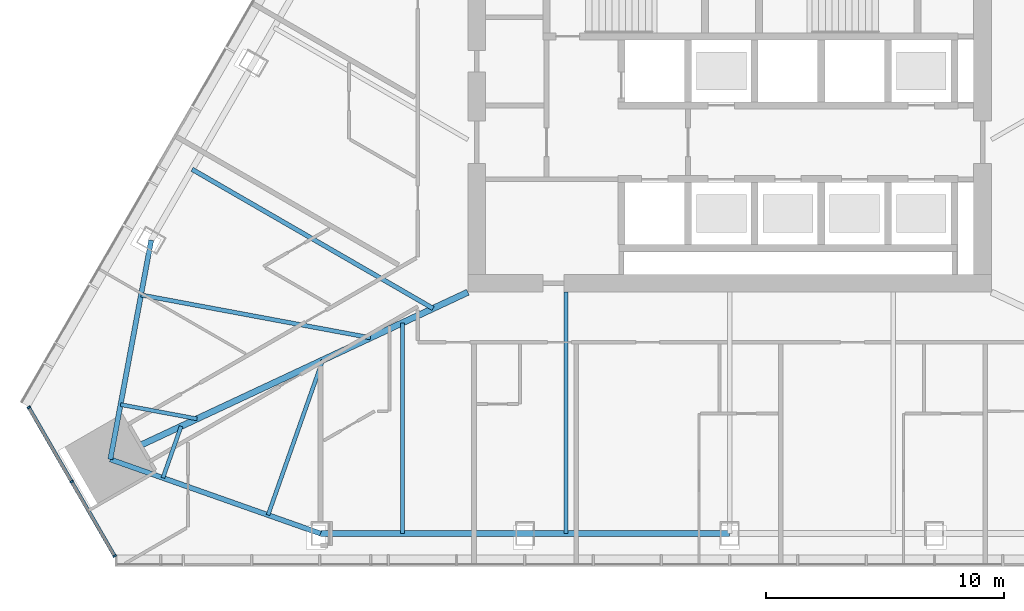
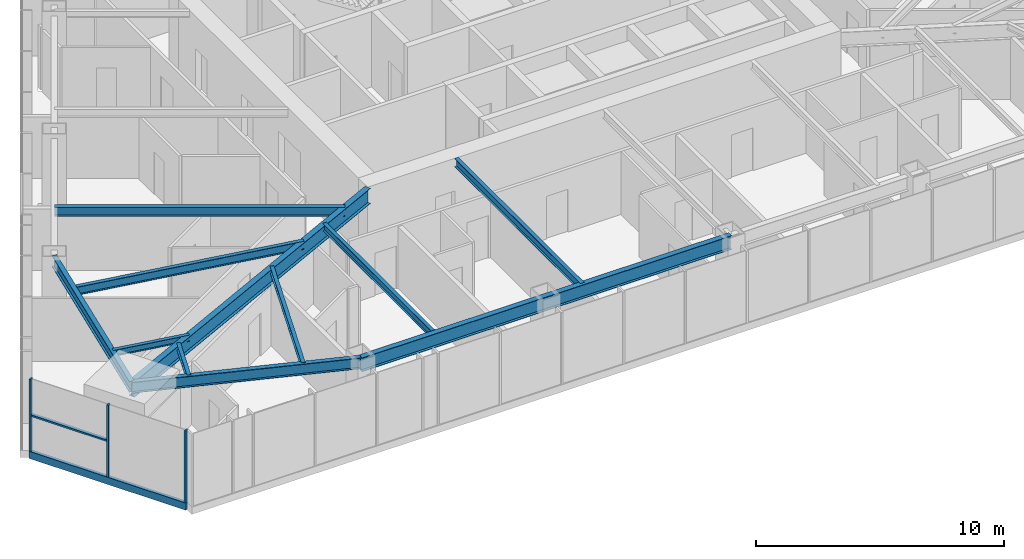
# One storey, part 2 of 16: 11 beams, 5 members, 1 element without a shape of its own.
"""IFC4 building model written with IfcOpenShell, lengths in metres."""

import ifcopenshell
import ifcopenshell.guid

model = None  # the IFC model being written
_history = None  # IfcOwnerHistory: only IFC2X3 demands one
_inside = {}  # id of a spatial element -> (the spatial element, [elements in it])
_under = {}  # id of a project, library or spatial element -> (it, [spatial elements below it])
_declared = {}  # id of a project -> (the project, [libraries it declares])
_typed = {}  # id of a type object -> (the type object, [elements of that type])
_made_of = {}  # id of a material, layer set ... -> (it, [elements and type objects made of it])


def new_model(schema):
    """Start an empty IFC model of exactly this schema.

    Asked for "IFC4X3", IfcOpenShell would pick the latest addendum, in which some entities
    have other attributes; the version numbers below select the first issue.
    IFC2X3 requires an IfcOwnerHistory on every rooted entity: one is made here for all.
    """
    global model, _history
    if schema == "IFC4X3":
        model = ifcopenshell.file(schema_version=(4, 3, 0, 0))
    else:
        model = ifcopenshell.file(schema=schema)
    _inside.clear()
    _under.clear()
    _declared.clear()
    _typed.clear()
    _made_of.clear()
    _history = None
    if model.schema == "IFC2X3":
        org = make("IfcOrganization", Name="unknown")
        user = make(
            "IfcPersonAndOrganization",
            ThePerson=make("IfcPerson", FamilyName="unknown"),
            TheOrganization=org,
        )
        app = make(
            "IfcApplication",
            ApplicationDeveloper=org,
            Version="unknown",
            ApplicationFullName="unknown",
            ApplicationIdentifier="unknown",
        )
        _history = make(
            "IfcOwnerHistory",
            OwningUser=user,
            OwningApplication=app,
            ChangeAction="ADDED",
            CreationDate=0,
        )
    return model


def make(cls, **values):
    """One entity of the class cls with the attributes given. An attribute that is None is left unset."""
    return model.create_entity(
        cls, **{name: value for name, value in values.items() if value is not None}
    )


def rooted(cls, **values):
    """An entity with a GlobalId (a new one), such as an element, a storey or a relation."""
    return make(cls, GlobalId=ifcopenshell.guid.new(), OwnerHistory=_history, **values)


def si_unit(unit_type, name, prefix=None):
    """IfcSIUnit, for example si_unit("LENGTHUNIT", "METRE", prefix="MILLI")."""
    return make("IfcSIUnit", UnitType=unit_type, Prefix=prefix, Name=name)


def assignment(units):
    """IfcUnitAssignment: the units of a project."""
    return None if units is None else make("IfcUnitAssignment", Units=units)


def point(xyz):
    """IfcCartesianPoint."""
    return None if xyz is None else make("IfcCartesianPoint", Coordinates=xyz)


def direction(xyz):
    """IfcDirection."""
    return None if xyz is None else make("IfcDirection", DirectionRatios=xyz)


def frame(location, z_axis=None, x_axis=None):
    """IfcAxis2Placement3D, a coordinate frame: its origin and axes. An axis left out is left unset."""
    return make(
        "IfcAxis2Placement3D",
        Location=point(location),
        Axis=direction(z_axis),
        RefDirection=direction(x_axis),
    )


def frame_2d(location, x_axis=None):
    """IfcAxis2Placement2D, a coordinate frame in the plane: its origin and x axis."""
    return make(
        "IfcAxis2Placement2D", Location=point(location), RefDirection=direction(x_axis)
    )


def origin():
    """The frame at (0, 0, 0) with its axes left unset."""
    return frame((0.0, 0.0, 0.0))


def origin_2d():
    """The frame at (0, 0) in the plane with its x axis left unset."""
    return frame_2d((0.0, 0.0))


def place(relative_to, where):
    """IfcLocalPlacement: puts the frame where relative to a parent placement (None: the world)."""
    return make(
        "IfcLocalPlacement", PlacementRelTo=relative_to, RelativePlacement=where
    )


def context(
    kind, dimensions, precision=None, world=None, true_north=None, identifier=None
):
    """IfcGeometricRepresentationContext, for example the 3D "Model" context."""
    return make(
        "IfcGeometricRepresentationContext",
        ContextIdentifier=identifier,
        ContextType=kind,
        CoordinateSpaceDimension=dimensions,
        Precision=precision,
        WorldCoordinateSystem=world,
        TrueNorth=true_north,
    )


def subcontext(parent, identifier, kind, view, scale=None):
    """IfcGeometricRepresentationSubContext, for example "Body" below "Model"."""
    return make(
        "IfcGeometricRepresentationSubContext",
        ContextIdentifier=identifier,
        ContextType=kind,
        ParentContext=parent,
        TargetScale=scale,
        TargetView=view,
    )


def project(units=None, contexts=None):
    """IfcProject with its units and contexts."""
    return rooted(
        "IfcProject",
        Name="project",
        RepresentationContexts=contexts,
        UnitsInContext=assignment(units),
    )


def spatial(cls, under=None, at=None, **own):
    """A site, building, storey or space (cls), placed at a placement, below another one or the project."""
    s = rooted(cls, ObjectPlacement=at, **own)
    if under is not None:
        _under.setdefault(under.id(), (under, []))[1].append(s)
    return s


def profile(cls, at=None, kind="AREA", **sizes):
    """A parametric profile (cls). Its sizes go by their IFC names, for example OverallWidth=200.0."""
    return make(cls, ProfileType=kind, Position=at, **sizes)


def rectangle(**sizes):
    """IfcRectangleProfileDef."""
    return profile("IfcRectangleProfileDef", **sizes)


def i_section(**sizes):
    """IfcIShapeProfileDef."""
    return profile("IfcIShapeProfileDef", **sizes)


def extrude(swept, where, along, depth):
    """IfcExtrudedAreaSolid: the profile swept, set in the frame where, extruded along a direction by depth."""
    return make(
        "IfcExtrudedAreaSolid",
        SweptArea=swept,
        Position=where,
        ExtrudedDirection=direction(along),
        Depth=depth,
    )


def shape(context_of_items, identifier, shape_type, items):
    """IfcShapeRepresentation: the items that make up one representation, for example the "Body"."""
    return make(
        "IfcShapeRepresentation",
        ContextOfItems=context_of_items,
        RepresentationIdentifier=identifier,
        RepresentationType=shape_type,
        Items=items,
    )


def material(Name=None, Category=None):
    """IfcMaterial."""
    return make("IfcMaterial", Name=Name, Category=Category)


def layer(
    of_material, thickness, ventilated=None, Name=None, Category=None, Priority=None
):
    """IfcMaterialLayer: one layer of a wall or slab, of a material (None: an air gap)."""
    return make(
        "IfcMaterialLayer",
        Material=of_material,
        LayerThickness=thickness,
        IsVentilated=ventilated,
        Name=Name,
        Category=Category,
        Priority=Priority,
    )


def layer_set(layers, Name=None):
    """IfcMaterialLayerSet."""
    return make("IfcMaterialLayerSet", MaterialLayers=layers, LayerSetName=Name)


def material_profile(
    of_material, cross_section, Name=None, Category=None, Priority=None
):
    """IfcMaterialProfile: a cross section and its material."""
    return make(
        "IfcMaterialProfile",
        Name=Name,
        Material=of_material,
        Profile=cross_section,
        Priority=Priority,
        Category=Category,
    )


def profile_set(profiles, Name=None, composite=None):
    """IfcMaterialProfileSet."""
    return make(
        "IfcMaterialProfileSet",
        Name=Name,
        MaterialProfiles=profiles,
        CompositeProfile=composite,
    )


def made_of(thing, what):
    """Note that an element or type object is made of a material, layer set ...; save() writes the relation."""
    if what is not None:
        _made_of.setdefault(what.id(), (what, []))[1].append(thing)
    return thing


def type_object(cls, material=None, **own):
    """A type object (cls), such as IfcWallType, which elements share."""
    return made_of(rooted(cls, **own), material)


def element(
    cls,
    number,
    at=None,
    inside=None,
    cuts=None,
    type_object=None,
    material=None,
    context=None,
    identifier="Body",
    shape_type=None,
    held_by="IfcProductDefinitionShape",
    body=None,
    shapes=None,
    **own,
):
    """One element of the class cls, such as IfcWall. Its Tag is "e" and its number.

    at: its placement. inside: the storey or other place that contains it. cuts: it is an
    opening in that element (IfcRelVoidsElement). A single representation is given by context,
    identifier, shape_type and body (its items); several are given by shapes. held_by: the class
    of the entity that holds the representations. save() writes the other relations.
    """
    e = rooted(cls, Tag="e%d" % number, ObjectPlacement=at, **own)
    if body is not None:
        shapes = [shape(context, identifier, shape_type, body)]
    if shapes is not None:
        e.Representation = make(held_by, Representations=shapes)
    if inside is not None:
        _inside.setdefault(inside.id(), (inside, []))[1].append(e)
    if cuts is not None:
        rooted(
            "IfcRelVoidsElement", RelatingBuildingElement=cuts, RelatedOpeningElement=e
        )
    if type_object is not None:
        _typed.setdefault(type_object.id(), (type_object, []))[1].append(e)
    return made_of(e, material)


def aggregate(whole, parts):
    """IfcRelAggregates: a whole, such as a stair, and the parts it consists of."""
    return rooted("IfcRelAggregates", RelatingObject=whole, RelatedObjects=parts)


def save(model, path):
    """Write the relations noted so far, then the file.

    IfcRelAggregates (storeys below a building ...), IfcRelContainedInSpatialStructure (elements
    in a storey), IfcRelDefinesByType, IfcRelAssociatesMaterial and IfcRelDeclares: one each for
    every whole, place, type object, material and project.
    """
    for whole, parts in _under.values():
        aggregate(whole, parts)
    for where, things in _inside.values():
        rooted(
            "IfcRelContainedInSpatialStructure",
            RelatedElements=things,
            RelatingStructure=where,
        )
    for kind, things in _typed.values():
        rooted("IfcRelDefinesByType", RelatedObjects=things, RelatingType=kind)
    for what, things in _made_of.values():
        rooted("IfcRelAssociatesMaterial", RelatedObjects=things, RelatingMaterial=what)
    for by, libraries in _declared.values():
        rooted("IfcRelDeclares", RelatingContext=by, RelatedDefinitions=libraries)
    model.write(path)


model = new_model("IFC4")

# Units and contexts
model_context = context("Model", 3, precision=1e-05, world=origin(), true_north=direction((0.0, 1.0)))
body_context = subcontext(model_context, "Body", "Model", "MODEL_VIEW")
ifc_project = project(units=[si_unit("LENGTHUNIT", "METRE"), si_unit("AREAUNIT", "SQUARE_METRE"), si_unit("VOLUMEUNIT", "CUBIC_METRE"), si_unit("PLANEANGLEUNIT", "RADIAN"), si_unit("MASSUNIT", "GRAM", prefix="KILO")], contexts=[model_context])

# Site, building, storey
site_placement = place(None, origin())
site = spatial("IfcSite", under=ifc_project, at=site_placement, CompositionType="ELEMENT")
building_placement = place(site_placement, origin())
building = spatial("IfcBuilding", under=site, at=building_placement, Name="Firuza Gate Tower and Library", CompositionType="ELEMENT")
storey_placement = place(building_placement, frame((0.0, 0.0, 198.699951171875)))
storey = spatial("IfcBuildingStorey", under=building, at=storey_placement, Name="L46", CompositionType="ELEMENT", Elevation=198.699951171875)

# Curtain wall, members
ifc_material_1 = material(Name="Aluminium 6063-T6", Category="aluminium")
ifc_layer = layer(ifc_material_1, 0.14990234375)
ifc_layer_set = layer_set([ifc_layer], Name="Corner curtain wall, chamfers")
curtain_wall_type = type_object("IfcCurtainWallType", Name="Corner curtain wall, chamfers", PredefinedType="NOTDEFINED", material=ifc_layer_set)
curtain_wall_placement = place(storey_placement, origin())
curtain_wall = element("IfcCurtainWall", 1, at=curtain_wall_placement, inside=storey, type_object=curtain_wall_type, Name="CW4 L46 SW corner", PredefinedType="NOTDEFINED")
ifc_material_2 = material(Name="Aluminium 6063-T6", Category="aluminium")
ifc_material_profile_1 = material_profile(ifc_material_2, rectangle(XDim=0.14990234375, YDim=0.080078125, at=origin_2d()))
ifc_profile_set_1 = profile_set([ifc_material_profile_1], Name="Aluminium 6063-T6")
member_type_1 = type_object("IfcMemberType", Name="Curtain wall mullion 80x150", PredefinedType="MULLION", material=ifc_profile_set_1)
member_1_placement = place(storey_placement, frame((45.55224609375, 62.158935546875, 0.150146484375), z_axis=(0.0, 0.0, 1.0), x_axis=(0.866025403784, 0.5, 0.0)))
member_1 = element("IfcMember", 2, at=member_1_placement, type_object=member_type_1, Name="Mullion", PredefinedType="MULLION", context=body_context, shape_type="SweptSolid", body=[
    extrude(rectangle(XDim=0.14990234375, YDim=0.080078125, at=origin_2d()), origin(), (0.0, 0.0, 1.0), 3.5498046875),
])
member_2_placement = place(storey_placement, frame((47.353759765625, 59.03857421875, 0.150146484375), z_axis=(0.0, 0.0, 1.0), x_axis=(0.866025403784, 0.5, 0.0)))
member_2 = element("IfcMember", 3, at=member_2_placement, type_object=member_type_1, Name="Mullion", PredefinedType="MULLION", context=body_context, shape_type="SweptSolid", body=[
    extrude(rectangle(XDim=0.14990234375, YDim=0.080078125, at=origin_2d()), origin(), (0.0, 0.0, 1.0), 3.5498046875),
])
member_3_placement = place(storey_placement, frame((49.155517578125, 55.91796875, 0.150146484375), z_axis=(0.0, 0.0, 1.0), x_axis=(0.866025403784, 0.5, 0.0)))
member_3 = element("IfcMember", 4, at=member_3_placement, type_object=member_type_1, Name="Mullion", PredefinedType="MULLION", context=body_context, shape_type="SweptSolid", body=[
    extrude(rectangle(XDim=0.14990234375, YDim=0.080078125, at=origin_2d()), origin(), (0.0, 0.0, 1.0), 3.5498046875),
])
ifc_material_3 = material(Name="Aluminium 6063-T6", Category="aluminium")
ifc_material_profile_2 = material_profile(ifc_material_3, rectangle(XDim=0.14990234375, YDim=0.35009765625, at=origin_2d()))
ifc_profile_set_2 = profile_set([ifc_material_profile_2], Name="Aluminium 6063-T6")
member_type_2 = type_object("IfcMemberType", Name="Curtain wall transom 350x150", PredefinedType="USERDEFINED", material=ifc_profile_set_2)
member_4_placement = place(storey_placement, frame((45.5322265625, 62.193603515625, -0.02490234375), z_axis=(0.500005719219, -0.866022101766, 0.0), x_axis=(0.866022101766, 0.500005719219, 0.0)))
member_4 = element("IfcMember", 5, at=member_4_placement, type_object=member_type_2, Name="Transom", ObjectType="TRANSOM", PredefinedType="USERDEFINED", context=body_context, shape_type="SweptSolid", body=[
    extrude(rectangle(XDim=0.14990234375, YDim=0.35009765625, at=origin_2d()), origin(), (0.0, 0.0, 1.0), 7.28662109375),
])
ifc_material_4 = material(Name="Aluminium 6063-T6", Category="aluminium")
ifc_material_profile_3 = material_profile(ifc_material_4, rectangle(XDim=0.14990234375, YDim=0.080078125, at=origin_2d()))
ifc_profile_set_3 = profile_set([ifc_material_profile_3], Name="Aluminium 6063-T6")
member_type_3 = type_object("IfcMemberType", Name="Curtain wall transom 80x150", PredefinedType="USERDEFINED", material=ifc_profile_set_3)
member_5_placement = place(storey_placement, frame((45.55224609375, 62.158935546875, 1.925048828125), z_axis=(0.49999331656, -0.866029262436, 0.0), x_axis=(0.866029262436, 0.49999331656, 0.0)))
member_5 = element("IfcMember", 6, at=member_5_placement, type_object=member_type_3, Name="Transom", ObjectType="TRANSOM", PredefinedType="USERDEFINED", context=body_context, shape_type="SweptSolid", body=[
    extrude(rectangle(XDim=0.14990234375, YDim=0.080078125, at=origin_2d()), origin(), (0.0, 0.0, 1.0), 3.56298828125),
])
aggregate(curtain_wall, [member_1, member_2, member_3, member_4, member_5])

# Beams
ifc_material_5 = material(Name="Steel S355", Category="steel")
ifc_material_profile_4 = material_profile(ifc_material_5, i_section(OverallWidth=0.1650390625, OverallDepth=0.31005859375, WebThickness=0.005859375, FlangeThickness=0.009765625, at=origin_2d()))
ifc_profile_set_4 = profile_set([ifc_material_profile_4], Name="Steel S355")
beam_type_1 = type_object("IfcBeamType", Name="W310x39 Floor beam", PredefinedType="JOIST", material=ifc_profile_set_4)
beam_1_placement = place(storey_placement, frame((49.406982421875, 62.278564453125, 3.545166015625), z_axis=(0.98304592643, -0.183359500789, 0.0), x_axis=(0.183359500789, 0.98304592643, 0.0)))
element("IfcBeam", 7, at=beam_1_placement, inside=storey, type_object=beam_type_1, Name="Floor beam L46 s01", PredefinedType="JOIST", context=body_context, shape_type="SweptSolid", body=[
    extrude(i_section(OverallWidth=0.1650390625, OverallDepth=0.31005859375, WebThickness=0.005859375, FlangeThickness=0.009765625, at=origin_2d()), origin(), (0.0, 0.0, 1.0), 3.268798828125),
])
beam_2_placement = place(storey_placement, frame((51.186279296875, 59.196533203125, 3.545166015625), z_axis=(0.332792371973, 0.943000125746, 0.0), x_axis=(-0.943000125746, 0.332792371973, 0.0)))
element("IfcBeam", 8, at=beam_2_placement, inside=storey, type_object=beam_type_1, Name="Floor beam L46 s10", PredefinedType="JOIST", context=body_context, shape_type="SweptSolid", body=[
    extrude(i_section(OverallWidth=0.1650390625, OverallDepth=0.31005859375, WebThickness=0.005859375, FlangeThickness=0.009765625, at=origin_2d()), origin(), (0.0, 0.0, 1.0), 2.30126953125),
])
beam_3_placement = place(storey_placement, frame((55.603759765625, 57.6376953125, 3.545166015625), z_axis=(0.332781274882, 0.943004041925, 0.0), x_axis=(-0.943004041925, 0.332781274882, 0.0)))
element("IfcBeam", 9, at=beam_3_placement, inside=storey, type_object=beam_type_1, Name="Floor beam L46 s11", PredefinedType="JOIST", context=body_context, shape_type="SweptSolid", body=[
    extrude(i_section(OverallWidth=0.1650390625, OverallDepth=0.31005859375, WebThickness=0.005859375, FlangeThickness=0.009765625, at=origin_2d()), origin(), (0.0, 0.0, 1.0), 6.904296875),
])
ifc_material_6 = material(Name="Steel S355", Category="steel")
ifc_material_profile_5 = material_profile(ifc_material_6, i_section(OverallWidth=0.1708984375, OverallDepth=0.35498046875, WebThickness=0.007080078125, FlangeThickness=0.01171875, at=origin_2d()))
ifc_profile_set_5 = profile_set([ifc_material_profile_5], Name="Steel S355")
beam_type_2 = type_object("IfcBeamType", Name="W360x51 Floor beam", PredefinedType="JOIST", material=ifc_profile_set_5)
beam_4_placement = place(storey_placement, frame((61.25, 56.8583984375, 3.5224609375), z_axis=(0.0, 1.0, 0.0), x_axis=(-1.0, 0.0, 0.0)))
element("IfcBeam", 10, at=beam_4_placement, inside=storey, type_object=beam_type_2, Name="Floor beam L46 s20", PredefinedType="JOIST", context=body_context, shape_type="SweptSolid", body=[
    extrude(i_section(OverallWidth=0.1708984375, OverallDepth=0.35498046875, WebThickness=0.007080078125, FlangeThickness=0.01171875, at=origin_2d()), origin(), (0.0, 0.0, 1.0), 8.855712890625),
])
ifc_material_7 = material(Name="Steel S355", Category="steel")
ifc_material_profile_6 = material_profile(ifc_material_7, i_section(OverallWidth=0.177978515625, OverallDepth=0.406982421875, WebThickness=0.0078125, FlangeThickness=0.0126953125, at=origin_2d()))
ifc_profile_set_6 = profile_set([ifc_material_profile_6], Name="Steel S355")
beam_type_3 = type_object("IfcBeamType", Name="W410x60 Floor beam", PredefinedType="JOIST", material=ifc_profile_set_6)
beam_5_placement = place(storey_placement, frame((50.265625, 66.883544921875, 3.49658203125), z_axis=(0.983056573465, -0.183302409604, 0.0), x_axis=(0.183302409604, 0.983056573465, 0.0)))
element("IfcBeam", 11, at=beam_5_placement, inside=storey, type_object=beam_type_3, Name="Floor beam L46 s00", PredefinedType="JOIST", context=body_context, shape_type="SweptSolid", body=[
    extrude(i_section(OverallWidth=0.177978515625, OverallDepth=0.406982421875, WebThickness=0.0078125, FlangeThickness=0.0126953125, at=origin_2d()), origin(), (0.0, 0.0, 1.0), 9.806884765625),
])
beam_6_placement = place(storey_placement, frame((68.125, 56.8583984375, 3.49658203125), z_axis=(0.0, 1.0, 0.0), x_axis=(-1.0, 0.0, 0.0)))
element("IfcBeam", 12, at=beam_6_placement, inside=storey, type_object=beam_type_3, Name="Floor beam L46 s21", PredefinedType="JOIST", context=body_context, shape_type="SweptSolid", body=[
    extrude(i_section(OverallWidth=0.177978515625, OverallDepth=0.406982421875, WebThickness=0.0078125, FlangeThickness=0.0126953125, at=origin_2d()), origin(), (0.0, 0.0, 1.0), 10.1416015625),
])
ifc_material_8 = material(Name="Steel S355", Category="steel")
ifc_material_profile_7 = material_profile(ifc_material_8, i_section(OverallWidth=0.18994140625, OverallDepth=0.45703125, WebThickness=0.009033203125, FlangeThickness=0.014404296875, at=origin_2d()))
ifc_profile_set_7 = profile_set([ifc_material_profile_7], Name="Steel S355")
beam_type_4 = type_object("IfcBeamType", Name="W460x74 Floor beam", PredefinedType="JOIST", material=ifc_profile_set_7)
beam_7_placement = place(storey_placement, frame((52.413818359375, 72.1630859375, 3.471435546875), z_axis=(0.866025630412, -0.49999960747, 0.0), x_axis=(0.49999960747, 0.866025630412, 0.0)))
element("IfcBeam", 13, at=beam_7_placement, inside=storey, type_object=beam_type_4, Name="Floor beam L46 s84", PredefinedType="JOIST", context=body_context, shape_type="SweptSolid", body=[
    extrude(i_section(OverallWidth=0.18994140625, OverallDepth=0.45703125, WebThickness=0.009033203125, FlangeThickness=0.014404296875, at=origin_2d()), origin(), (0.0, 0.0, 1.0), 11.69189453125),
])
ifc_material_9 = material(Name="Steel S355", Category="steel")
ifc_material_profile_8 = material_profile(ifc_material_9, i_section(OverallWidth=0.212890625, OverallDepth=0.5390625, WebThickness=0.01171875, FlangeThickness=0.018798828125, at=origin_2d()))
ifc_profile_set_8 = profile_set([ifc_material_profile_8], Name="Steel S355")
beam_type_5 = type_object("IfcBeamType", Name="W530x109 Edge beam", PredefinedType="SPANDREL", material=ifc_profile_set_8)
beam_8_placement = place(storey_placement, frame((50.695068359375, 69.18603515625, 3.4306640625), z_axis=(-0.183325539485, -0.983052260347, 0.0), x_axis=(0.983052260347, -0.183325539485, 0.0)))
element("IfcBeam", 14, at=beam_8_placement, inside=storey, type_object=beam_type_5, Name="Edge beam L46 e00", PredefinedType="SPANDREL", context=body_context, shape_type="SweptSolid", body=[
    extrude(i_section(OverallWidth=0.212890625, OverallDepth=0.5390625, WebThickness=0.01171875, FlangeThickness=0.018798828125, at=origin_2d()), origin(), (0.0, 0.0, 1.0), 9.36865234375),
])
beam_9_placement = place(storey_placement, frame((48.9775390625, 59.97607421875, 3.4306640625), z_axis=(0.94300861327, -0.332768320754, 0.0), x_axis=(0.332768320754, 0.94300861327, 0.0)))
element("IfcBeam", 15, at=beam_9_placement, inside=storey, type_object=beam_type_5, Name="Edge beam L46 e10", PredefinedType="SPANDREL", context=body_context, shape_type="SweptSolid", body=[
    extrude(i_section(OverallWidth=0.212890625, OverallDepth=0.5390625, WebThickness=0.01171875, FlangeThickness=0.018798828125, at=origin_2d()), origin(), (0.0, 0.0, 1.0), 9.368896484375),
])
ifc_material_10 = material(Name="Steel S355", Category="steel")
ifc_material_profile_9 = material_profile(ifc_material_10, i_section(OverallWidth=0.2529296875, OverallDepth=0.677978515625, WebThickness=0.01171875, FlangeThickness=0.016357421875, at=origin_2d()))
ifc_profile_set_9 = profile_set([ifc_material_profile_9], Name="Steel S355")
beam_type_6 = type_object("IfcBeamType", Name="W690x125 Edge beam", PredefinedType="SPANDREL", material=ifc_profile_set_9)
beam_10_placement = place(storey_placement, frame((57.8125, 56.8583984375, 3.361083984375), z_axis=(1.0, 0.0, 0.0), x_axis=(0.0, 1.0, 0.0)))
element("IfcBeam", 16, at=beam_10_placement, inside=storey, type_object=beam_type_6, Name="Edge beam L46 e20", PredefinedType="SPANDREL", context=body_context, shape_type="SweptSolid", body=[
    extrude(i_section(OverallWidth=0.2529296875, OverallDepth=0.677978515625, WebThickness=0.01171875, FlangeThickness=0.016357421875, at=origin_2d()), origin(), (0.0, 0.0, 1.0), 17.1875),
])
ifc_material_11 = material(Name="Steel S355", Category="steel")
ifc_material_profile_10 = material_profile(ifc_material_11, i_section(OverallWidth=0.264892578125, OverallDepth=0.7529296875, WebThickness=0.01318359375, FlangeThickness=0.01708984375, at=origin_2d()))
ifc_profile_set_10 = profile_set([ifc_material_profile_10], Name="Steel S355")
beam_type_7 = type_object("IfcBeamType", Name="W760x147 Girder", PredefinedType="BEAM", material=ifc_profile_set_10)
beam_11_placement = place(storey_placement, frame((48.9775390625, 59.97607421875, 3.323486328125), z_axis=(0.905872229673, 0.423551063637, 0.0), x_axis=(-0.423551063637, 0.905872229673, 0.0)))
element("IfcBeam", 17, at=beam_11_placement, inside=storey, type_object=beam_type_7, Name="Girder L46 gSW", PredefinedType="BEAM", context=body_context, shape_type="SweptSolid", body=[
    extrude(i_section(OverallWidth=0.264892578125, OverallDepth=0.7529296875, WebThickness=0.01318359375, FlangeThickness=0.01708984375, at=origin_2d()), origin(), (0.0, 0.0, 1.0), 16.58349609375),
])

save(model, "model.ifc")
